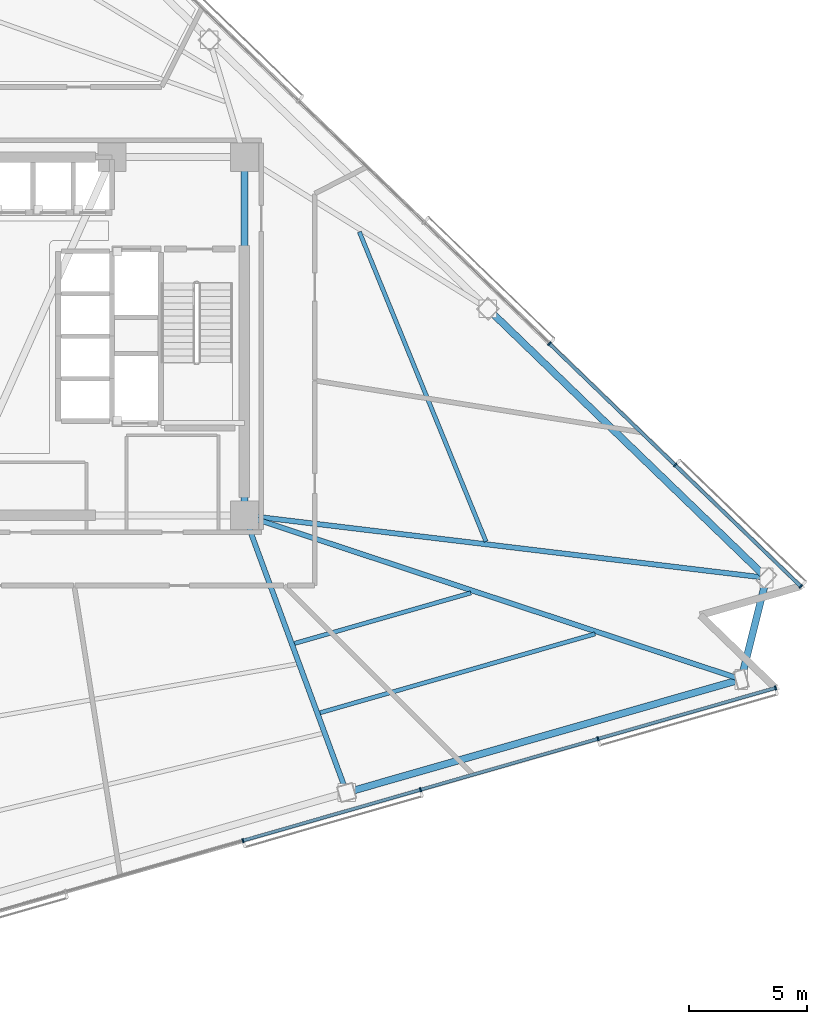
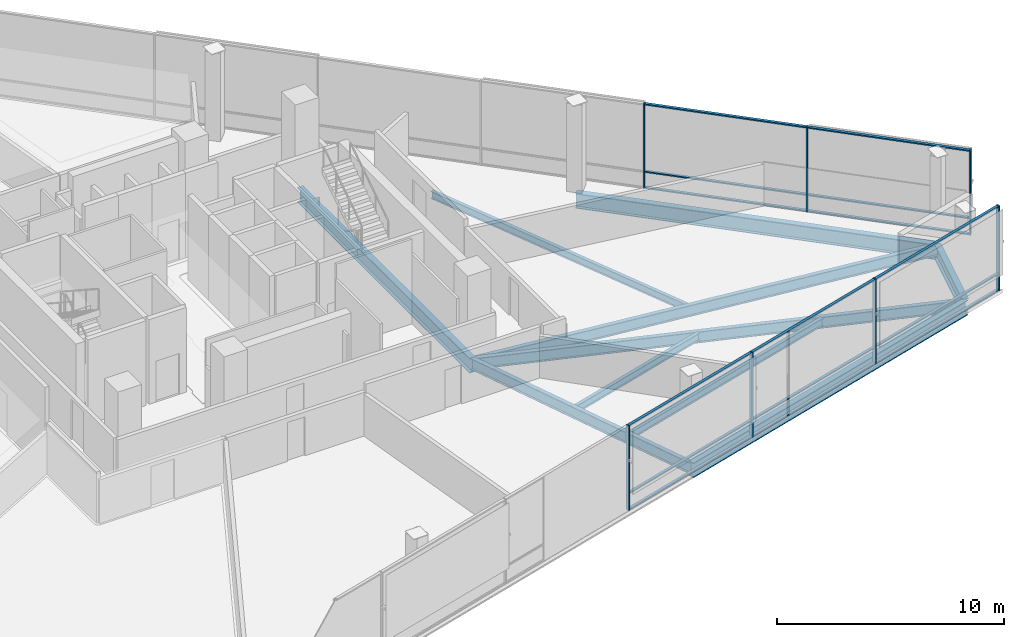
# One storey, part 5 of 18: 22 members, 10 beams, 2 elements without a shape of their own.
"""IFC4 building model written with IfcOpenShell, lengths in metres."""

from ifc_helpers import new_model, si_unit, direction, frame, origin, origin_2d, place, context, subcontext, project, spatial, rectangle, i_section, extrude, material, layer, layer_set, material_profile, profile_set, type_object, element, aggregate, save


model = new_model("IFC4")

# Units and contexts
model_context = context("Model", 3, precision=1e-05, world=origin(), true_north=direction((0.0, 1.0)))
body_context = subcontext(model_context, "Body", "Model", "MODEL_VIEW")
ifc_project = project(units=[si_unit("LENGTHUNIT", "METRE"), si_unit("AREAUNIT", "SQUARE_METRE"), si_unit("VOLUMEUNIT", "CUBIC_METRE"), si_unit("PLANEANGLEUNIT", "RADIAN"), si_unit("MASSUNIT", "GRAM", prefix="KILO")], contexts=[model_context])

# Site, building, storey
site_placement = place(None, origin())
site = spatial("IfcSite", under=ifc_project, at=site_placement, CompositionType="ELEMENT")
building_placement = place(site_placement, origin())
building = spatial("IfcBuilding", under=site, at=building_placement, Name="Tharavind Bronze Gate", CompositionType="ELEMENT")
storey_placement = place(building_placement, frame((0.0, 0.0, 107.699951171875)))
storey = spatial("IfcBuildingStorey", under=building, at=storey_placement, Name="L27", CompositionType="ELEMENT", Elevation=107.699951171875)

# Curtain wall, members
ifc_material_1 = material(Name="Anodised Bronze Aluminium", Category="aluminium")
ifc_layer = layer(ifc_material_1, 0.219970703125)
ifc_layer_set = layer_set([ifc_layer], Name="Anodised Bronze Aluminium")
curtain_wall_type = type_object("IfcCurtainWallType", Name="UNITISED CURTAIN WALL LOWER OFFICE", PredefinedType="USERDEFINED", material=ifc_layer_set)
curtain_wall_1_placement = place(storey_placement, origin())
curtain_wall_1 = element("IfcCurtainWall", 1, at=curtain_wall_1_placement, inside=storey, type_object=curtain_wall_type, Name="L27 unitised curtain wall lower office CW-L27-S2", ObjectType="UNITISED CURTAIN WALL", PredefinedType="USERDEFINED")
member_type_1 = type_object("IfcMemberType", Name="CURTAIN WALL BRONZE MULLION 65X180", PredefinedType="MULLION", material=ifc_material_1)
member_1_placement = place(storey_placement, frame((8.83837890625, -21.406982421875, 0.0), z_axis=(0.0, 0.0, 1.0), x_axis=(0.961261695938, 0.275637355817, 0.0)))
member_1 = element("IfcMember", 2, at=member_1_placement, type_object=member_type_1, Name="CW-L27-S2 mullion 5", PredefinedType="MULLION", context=body_context, shape_type="SweptSolid", body=[
    extrude(rectangle(XDim=0.06494140625, YDim=0.179931640625, at=origin_2d()), origin(), (0.0, 0.0, 1.0), 4.56005859375),
])
member_2_placement = place(storey_placement, frame((16.371826171875, -19.246826171875, 0.0), z_axis=(0.0, 0.0, 1.0), x_axis=(0.961261695938, 0.275637355817, 0.0)))
member_2 = element("IfcMember", 3, at=member_2_placement, type_object=member_type_1, Name="CW-L27-S2 mullion 6", PredefinedType="MULLION", context=body_context, shape_type="SweptSolid", body=[
    extrude(rectangle(XDim=0.06494140625, YDim=0.179931640625, at=origin_2d()), origin(), (0.0, 0.0, 1.0), 4.56005859375),
])
member_3_placement = place(storey_placement, frame((23.9052734375, -17.086669921875, 0.0), z_axis=(0.0, 0.0, 1.0), x_axis=(0.961261695938, 0.275637355817, 0.0)))
member_3 = element("IfcMember", 4, at=member_3_placement, type_object=member_type_1, Name="CW-L27-S2 mullion 7", PredefinedType="MULLION", context=body_context, shape_type="SweptSolid", body=[
    extrude(rectangle(XDim=0.06494140625, YDim=0.179931640625, at=origin_2d()), origin(), (0.0, 0.0, 1.0), 4.56005859375),
])
member_4_placement = place(storey_placement, frame((31.438720703125, -14.926513671875, 0.0), z_axis=(0.0, 0.0, 1.0), x_axis=(0.961261695938, 0.275637355817, 0.0)))
member_4 = element("IfcMember", 5, at=member_4_placement, type_object=member_type_1, Name="CW-L27-S2 mullion 8", PredefinedType="MULLION", context=body_context, shape_type="SweptSolid", body=[
    extrude(rectangle(XDim=0.06494140625, YDim=0.179931640625, at=origin_2d()), origin(), (0.0, 0.0, 1.0), 4.56005859375),
])

curtain_wall_2_placement = place(storey_placement, origin())
curtain_wall_2 = element("IfcCurtainWall", 6, at=curtain_wall_2_placement, inside=storey, type_object=curtain_wall_type, Name="L27 unitised curtain wall lower office CW-L27-S3", ObjectType="UNITISED CURTAIN WALL", PredefinedType="USERDEFINED")
member_5_placement = place(storey_placement, frame((32.512939453125, -10.618408203125, 0.0), z_axis=(0.0, 0.0, 1.0), x_axis=(-0.719341012745, 0.694657114973, 0.0)))
member_5 = element("IfcMember", 7, at=member_5_placement, type_object=member_type_1, Name="CW-L27-S3 mullion 1", PredefinedType="MULLION", context=body_context, shape_type="SweptSolid", body=[
    extrude(rectangle(XDim=0.06494140625, YDim=0.179931640625, at=origin_2d()), origin(), (0.0, 0.0, 1.0), 4.56005859375),
])
member_6_placement = place(storey_placement, frame((27.1796875, -5.468017578125, 0.0), z_axis=(0.0, 0.0, 1.0), x_axis=(-0.719341012745, 0.694657114973, 0.0)))
member_6 = element("IfcMember", 8, at=member_6_placement, type_object=member_type_1, Name="CW-L27-S3 mullion 2", PredefinedType="MULLION", context=body_context, shape_type="SweptSolid", body=[
    extrude(rectangle(XDim=0.06494140625, YDim=0.179931640625, at=origin_2d()), origin(), (0.0, 0.0, 1.0), 4.56005859375),
])
member_7_placement = place(storey_placement, frame((21.84619140625, -0.317626953125, 0.0), z_axis=(0.0, 0.0, 1.0), x_axis=(-0.719341012745, 0.694657114973, 0.0)))
member_7 = element("IfcMember", 9, at=member_7_placement, type_object=member_type_1, Name="CW-L27-S3 mullion 3", PredefinedType="MULLION", context=body_context, shape_type="SweptSolid", body=[
    extrude(rectangle(XDim=0.06494140625, YDim=0.179931640625, at=origin_2d()), origin(), (0.0, 0.0, 1.0), 4.56005859375),
])

# Member
member_type_2 = type_object("IfcMemberType", Name="CURTAIN WALL BRONZE TRANSOM 65X140", PredefinedType="USERDEFINED", material=ifc_material_1)
member_8_placement = place(storey_placement, frame((12.60498046875, -20.326904296875, 0.0), z_axis=(0.0, 0.0, 1.0), x_axis=(0.961261695938, 0.275637355817, 0.0)))
member_8 = element("IfcMember", 10, at=member_8_placement, type_object=member_type_2, Name="CW-L27-S2 transom TB5", ObjectType="TRANSOM", PredefinedType="USERDEFINED", context=body_context, shape_type="SweptSolid", body=[
    extrude(rectangle(XDim=7.7841796875, YDim=0.139892578125, at=origin_2d()), origin(), (0.0, 0.0, 1.0), 0.06494140625),
])

member_9_placement = place(storey_placement, frame((12.60498046875, -20.326904296875, 0.86767578125), z_axis=(0.0, 0.0, 1.0), x_axis=(0.961261695938, 0.275637355817, 0.0)))
member_9 = element("IfcMember", 11, at=member_9_placement, type_object=member_type_2, Name="CW-L27-S2 transom TS5", ObjectType="TRANSOM", PredefinedType="USERDEFINED", context=body_context, shape_type="SweptSolid", body=[
    extrude(rectangle(XDim=7.7841796875, YDim=0.139892578125, at=origin_2d()), origin(), (0.0, 0.0, 1.0), 0.06494140625),
])

member_10_placement = place(storey_placement, frame((12.60498046875, -20.326904296875, 4.4951171875), z_axis=(0.0, 0.0, 1.0), x_axis=(0.961261695938, 0.275637355817, 0.0)))
member_10 = element("IfcMember", 12, at=member_10_placement, type_object=member_type_2, Name="CW-L27-S2 transom TT5", ObjectType="TRANSOM", PredefinedType="USERDEFINED", context=body_context, shape_type="SweptSolid", body=[
    extrude(rectangle(XDim=7.7841796875, YDim=0.139892578125, at=origin_2d()), origin(), (0.0, 0.0, 1.0), 0.06494140625),
])

member_11_placement = place(storey_placement, frame((20.138671875, -18.166748046875, 0.0), z_axis=(0.0, 0.0, 1.0), x_axis=(0.961261695938, 0.275637355817, 0.0)))
member_11 = element("IfcMember", 13, at=member_11_placement, type_object=member_type_2, Name="CW-L27-S2 transom TB6", ObjectType="TRANSOM", PredefinedType="USERDEFINED", context=body_context, shape_type="SweptSolid", body=[
    extrude(rectangle(XDim=7.7841796875, YDim=0.139892578125, at=origin_2d()), origin(), (0.0, 0.0, 1.0), 0.06494140625),
])

member_12_placement = place(storey_placement, frame((20.138671875, -18.166748046875, 0.86767578125), z_axis=(0.0, 0.0, 1.0), x_axis=(0.961261695938, 0.275637355817, 0.0)))
member_12 = element("IfcMember", 14, at=member_12_placement, type_object=member_type_2, Name="CW-L27-S2 transom TS6", ObjectType="TRANSOM", PredefinedType="USERDEFINED", context=body_context, shape_type="SweptSolid", body=[
    extrude(rectangle(XDim=7.7841796875, YDim=0.139892578125, at=origin_2d()), origin(), (0.0, 0.0, 1.0), 0.06494140625),
])

member_13_placement = place(storey_placement, frame((20.138671875, -18.166748046875, 4.4951171875), z_axis=(0.0, 0.0, 1.0), x_axis=(0.961261695938, 0.275637355817, 0.0)))
member_13 = element("IfcMember", 15, at=member_13_placement, type_object=member_type_2, Name="CW-L27-S2 transom TT6", ObjectType="TRANSOM", PredefinedType="USERDEFINED", context=body_context, shape_type="SweptSolid", body=[
    extrude(rectangle(XDim=7.7841796875, YDim=0.139892578125, at=origin_2d()), origin(), (0.0, 0.0, 1.0), 0.06494140625),
])

member_14_placement = place(storey_placement, frame((27.672119140625, -16.006591796875, 0.0), z_axis=(0.0, 0.0, 1.0), x_axis=(0.961261695938, 0.275637355817, 0.0)))
member_14 = element("IfcMember", 16, at=member_14_placement, type_object=member_type_2, Name="CW-L27-S2 transom TB7", ObjectType="TRANSOM", PredefinedType="USERDEFINED", context=body_context, shape_type="SweptSolid", body=[
    extrude(rectangle(XDim=7.7841796875, YDim=0.139892578125, at=origin_2d()), origin(), (0.0, 0.0, 1.0), 0.06494140625),
])

member_15_placement = place(storey_placement, frame((27.672119140625, -16.006591796875, 0.86767578125), z_axis=(0.0, 0.0, 1.0), x_axis=(0.961261695938, 0.275637355817, 0.0)))
member_15 = element("IfcMember", 17, at=member_15_placement, type_object=member_type_2, Name="CW-L27-S2 transom TS7", ObjectType="TRANSOM", PredefinedType="USERDEFINED", context=body_context, shape_type="SweptSolid", body=[
    extrude(rectangle(XDim=7.7841796875, YDim=0.139892578125, at=origin_2d()), origin(), (0.0, 0.0, 1.0), 0.06494140625),
])

member_16_placement = place(storey_placement, frame((27.672119140625, -16.006591796875, 4.4951171875), z_axis=(0.0, 0.0, 1.0), x_axis=(0.961261695938, 0.275637355817, 0.0)))
member_16 = element("IfcMember", 18, at=member_16_placement, type_object=member_type_2, Name="CW-L27-S2 transom TT7", ObjectType="TRANSOM", PredefinedType="USERDEFINED", context=body_context, shape_type="SweptSolid", body=[
    extrude(rectangle(XDim=7.7841796875, YDim=0.139892578125, at=origin_2d()), origin(), (0.0, 0.0, 1.0), 0.06494140625),
])

aggregate(curtain_wall_1, [member_1, member_2, member_3, member_4, member_8, member_9, member_10, member_11, member_12, member_13, member_14, member_15, member_16])

member_17_placement = place(storey_placement, frame((29.84619140625, -8.043212890625, 0.0), z_axis=(0.0, 0.0, 1.0), x_axis=(-0.719341012745, 0.694657114973, 0.0)))
member_17 = element("IfcMember", 19, at=member_17_placement, type_object=member_type_2, Name="CW-L27-S3 transom TB1", ObjectType="TRANSOM", PredefinedType="USERDEFINED", context=body_context, shape_type="SweptSolid", body=[
    extrude(rectangle(XDim=7.361083984375, YDim=0.139892578125, at=origin_2d()), origin(), (0.0, 0.0, 1.0), 0.06494140625),
])

member_18_placement = place(storey_placement, frame((29.84619140625, -8.043212890625, 0.86767578125), z_axis=(0.0, 0.0, 1.0), x_axis=(-0.719341012745, 0.694657114973, 0.0)))
member_18 = element("IfcMember", 20, at=member_18_placement, type_object=member_type_2, Name="CW-L27-S3 transom TS1", ObjectType="TRANSOM", PredefinedType="USERDEFINED", context=body_context, shape_type="SweptSolid", body=[
    extrude(rectangle(XDim=7.361083984375, YDim=0.139892578125, at=origin_2d()), origin(), (0.0, 0.0, 1.0), 0.06494140625),
])

member_19_placement = place(storey_placement, frame((29.84619140625, -8.043212890625, 4.4951171875), z_axis=(0.0, 0.0, 1.0), x_axis=(-0.719341012745, 0.694657114973, 0.0)))
member_19 = element("IfcMember", 21, at=member_19_placement, type_object=member_type_2, Name="CW-L27-S3 transom TT1", ObjectType="TRANSOM", PredefinedType="USERDEFINED", context=body_context, shape_type="SweptSolid", body=[
    extrude(rectangle(XDim=7.361083984375, YDim=0.139892578125, at=origin_2d()), origin(), (0.0, 0.0, 1.0), 0.06494140625),
])

member_20_placement = place(storey_placement, frame((24.512939453125, -2.892822265625, 0.0), z_axis=(0.0, 0.0, 1.0), x_axis=(-0.719341012745, 0.694657114973, 0.0)))
member_20 = element("IfcMember", 22, at=member_20_placement, type_object=member_type_2, Name="CW-L27-S3 transom TB2", ObjectType="TRANSOM", PredefinedType="USERDEFINED", context=body_context, shape_type="SweptSolid", body=[
    extrude(rectangle(XDim=7.361083984375, YDim=0.139892578125, at=origin_2d()), origin(), (0.0, 0.0, 1.0), 0.06494140625),
])

member_21_placement = place(storey_placement, frame((24.512939453125, -2.892822265625, 0.86767578125), z_axis=(0.0, 0.0, 1.0), x_axis=(-0.719341012745, 0.694657114973, 0.0)))
member_21 = element("IfcMember", 23, at=member_21_placement, type_object=member_type_2, Name="CW-L27-S3 transom TS2", ObjectType="TRANSOM", PredefinedType="USERDEFINED", context=body_context, shape_type="SweptSolid", body=[
    extrude(rectangle(XDim=7.361083984375, YDim=0.139892578125, at=origin_2d()), origin(), (0.0, 0.0, 1.0), 0.06494140625),
])

member_22_placement = place(storey_placement, frame((24.512939453125, -2.892822265625, 4.4951171875), z_axis=(0.0, 0.0, 1.0), x_axis=(-0.719341012745, 0.694657114973, 0.0)))
member_22 = element("IfcMember", 24, at=member_22_placement, type_object=member_type_2, Name="CW-L27-S3 transom TT2", ObjectType="TRANSOM", PredefinedType="USERDEFINED", context=body_context, shape_type="SweptSolid", body=[
    extrude(rectangle(XDim=7.361083984375, YDim=0.139892578125, at=origin_2d()), origin(), (0.0, 0.0, 1.0), 0.06494140625),
])

aggregate(curtain_wall_2, [member_5, member_6, member_7, member_17, member_18, member_19, member_20, member_21, member_22])

# Beams
ifc_material_2 = material(Name="Steel S355", Category="steel")
ifc_material_profile_1 = material_profile(ifc_material_2, i_section(OverallWidth=0.219970703125, OverallDepth=0.60009765625, WebThickness=0.011962890625, FlangeThickness=0.01904296875, at=origin_2d()), Name="IPE600")
ifc_profile_set_1 = profile_set([ifc_material_profile_1], Name="Steel S355")
beam_type_1 = type_object("IfcBeamType", Name="PRIMARY GIRDER IPE600", PredefinedType="USERDEFINED", material=ifc_profile_set_1)
beam_1_placement = place(storey_placement, frame((13.23779296875, -19.365234375, -0.489990234375), z_axis=(-0.345941741317, 0.938255994713, 0.0), x_axis=(-0.938255994713, -0.345941741317, 0.0)))
element("IfcBeam", 25, at=beam_1_placement, inside=storey, type_object=beam_type_1, Name="L27 primary girder ipe600 BM-L27-RAD07", ObjectType="GIRDER", PredefinedType="USERDEFINED", context=body_context, shape_type="SweptSolid", body=[
    extrude(i_section(OverallWidth=0.219970703125, OverallDepth=0.60009765625, WebThickness=0.011962890625, FlangeThickness=0.01904296875, at=origin_2d()), origin(), (0.0, 0.0, 1.0), 12.539306640625),
])
beam_2_placement = place(storey_placement, frame((29.9833984375, -14.563720703125, -0.489990234375), z_axis=(-0.949547271017, 0.313623946956, 0.0), x_axis=(-0.313623946956, -0.949547271017, 0.0)))
element("IfcBeam", 26, at=beam_2_placement, inside=storey, type_object=beam_type_1, Name="L27 primary girder ipe600 BM-L27-RAD08", ObjectType="GIRDER", PredefinedType="USERDEFINED", context=body_context, shape_type="SweptSolid", body=[
    extrude(i_section(OverallWidth=0.219970703125, OverallDepth=0.60009765625, WebThickness=0.011962890625, FlangeThickness=0.01904296875, at=origin_2d()), origin(), (0.0, 0.0, 1.0), 22.20361328125),
])
beam_3_placement = place(storey_placement, frame((31.0576171875, -10.255615234375, -0.489990234375), z_axis=(-0.992894893645, 0.118994664472, 0.0), x_axis=(-0.118994664472, -0.992894893645, 0.0)))
element("IfcBeam", 27, at=beam_3_placement, inside=storey, type_object=beam_type_1, Name="L27 primary girder ipe600 BM-L27-RAD09", ObjectType="GIRDER", PredefinedType="USERDEFINED", context=body_context, shape_type="SweptSolid", body=[
    extrude(i_section(OverallWidth=0.219970703125, OverallDepth=0.60009765625, WebThickness=0.011962890625, FlangeThickness=0.01904296875, at=origin_2d()), origin(), (0.0, 0.0, 1.0), 22.316162109375),
])
ifc_material_profile_2 = material_profile(ifc_material_2, i_section(OverallWidth=0.300048828125, OverallDepth=0.800048828125, WebThickness=0.017578125, FlangeThickness=0.032958984375, at=origin_2d()), Name="HE800B")
ifc_profile_set_2 = profile_set([ifc_material_profile_2], Name="Steel S355")
beam_type_2 = type_object("IfcBeamType", Name="RING GIRDER HE800B", PredefinedType="USERDEFINED", material=ifc_profile_set_2)
beam_4_placement = place(storey_placement, frame((8.89990234375, -7.60009765625, -0.58984375), z_axis=(0.0, 1.0, 0.0), x_axis=(-1.0, 0.0, 0.0)))
element("IfcBeam", 28, at=beam_4_placement, inside=storey, type_object=beam_type_2, Name="L27 ring girder he800b BM-L27-CR3", ObjectType="GIRDER", PredefinedType="USERDEFINED", context=body_context, shape_type="SweptSolid", body=[
    extrude(i_section(OverallWidth=0.300048828125, OverallDepth=0.800048828125, WebThickness=0.017578125, FlangeThickness=0.032958984375, at=origin_2d()), origin(), (0.0, 0.0, 1.0), 15.2001953125),
])
beam_5_placement = place(storey_placement, frame((13.23779296875, -19.365234375, -0.58984375), z_axis=(0.961264911639, 0.275626141088, 0.0), x_axis=(-0.275626141088, 0.961264911639, 0.0)))
element("IfcBeam", 29, at=beam_5_placement, inside=storey, type_object=beam_type_2, Name="L27 ring girder he800b BM-L27-PRG07", ObjectType="GIRDER", PredefinedType="USERDEFINED", context=body_context, shape_type="SweptSolid", body=[
    extrude(i_section(OverallWidth=0.300048828125, OverallDepth=0.800048828125, WebThickness=0.017578125, FlangeThickness=0.032958984375, at=origin_2d()), origin(), (0.0, 0.0, 1.0), 17.42041015625),
])
beam_6_placement = place(storey_placement, frame((29.9833984375, -14.563720703125, -0.58984375), z_axis=(0.241940431812, 0.970291104491, 0.0), x_axis=(-0.970291104491, 0.241940431812, 0.0)))
element("IfcBeam", 30, at=beam_6_placement, inside=storey, type_object=beam_type_2, Name="L27 ring girder he800b BM-L27-PRG08", ObjectType="GIRDER", PredefinedType="USERDEFINED", context=body_context, shape_type="SweptSolid", body=[
    extrude(i_section(OverallWidth=0.300048828125, OverallDepth=0.800048828125, WebThickness=0.017578125, FlangeThickness=0.032958984375, at=origin_2d()), origin(), (0.0, 0.0, 1.0), 4.43994140625),
])
beam_7_placement = place(storey_placement, frame((31.0576171875, -10.255615234375, -0.58984375), z_axis=(-0.719336950964, 0.694661321061, 0.0), x_axis=(-0.694661321061, -0.719336950964, 0.0)))
element("IfcBeam", 31, at=beam_7_placement, inside=storey, type_object=beam_type_2, Name="L27 ring girder he800b BM-L27-PRG09", ObjectType="GIRDER", PredefinedType="USERDEFINED", context=body_context, shape_type="SweptSolid", body=[
    extrude(i_section(OverallWidth=0.300048828125, OverallDepth=0.800048828125, WebThickness=0.017578125, FlangeThickness=0.032958984375, at=origin_2d()), origin(), (0.0, 0.0, 1.0), 16.433837890625),
])
ifc_material_profile_3 = material_profile(ifc_material_2, i_section(OverallWidth=0.179931640625, OverallDepth=0.39990234375, WebThickness=0.008544921875, FlangeThickness=0.013427734375, at=origin_2d()), Name="IPE400")
ifc_profile_set_3 = profile_set([ifc_material_profile_3], Name="Steel S355")
beam_type_3 = type_object("IfcBeamType", Name="SECONDARY FLOOR JOIST IPE400", PredefinedType="JOIST", material=ifc_profile_set_3)
beam_8_placement = place(storey_placement, frame((11.027099609375, -13.039306640625, -0.389892578125), z_axis=(0.961264410597, 0.275627888501, 0.0), x_axis=(-0.275627888501, 0.961264410597, 0.0)))
element("IfcBeam", 32, at=beam_8_placement, inside=storey, type_object=beam_type_3, Name="L27 secondary floor joist ipe400 BM-L27-JSTA07", PredefinedType="JOIST", context=body_context, shape_type="SweptSolid", body=[
    extrude(i_section(OverallWidth=0.179931640625, OverallDepth=0.39990234375, WebThickness=0.008544921875, FlangeThickness=0.013427734375, at=origin_2d()), origin(), (0.0, 0.0, 1.0), 7.78662109375),
])
beam_9_placement = place(storey_placement, frame((12.111328125, -15.980712890625, -0.389892578125), z_axis=(0.961258694637, 0.275647822385, 0.0), x_axis=(-0.275647822385, 0.961258694637, 0.0)))
element("IfcBeam", 33, at=beam_9_placement, inside=storey, type_object=beam_type_3, Name="L27 secondary floor joist ipe400 BM-L27-JSTB07", PredefinedType="JOIST", context=body_context, shape_type="SweptSolid", body=[
    extrude(i_section(OverallWidth=0.179931640625, OverallDepth=0.39990234375, WebThickness=0.008544921875, FlangeThickness=0.013427734375, at=origin_2d()), origin(), (0.0, 0.0, 1.0), 12.14208984375),
])
beam_10_placement = place(storey_placement, frame((19.154052734375, -8.714599609375, -0.389892578125), z_axis=(-0.378556522094, 0.925578175834, 0.0), x_axis=(-0.925578175834, -0.378556522094, 0.0)))
element("IfcBeam", 34, at=beam_10_placement, inside=storey, type_object=beam_type_3, Name="L27 secondary floor joist ipe400 BM-L27-JSTA09", PredefinedType="JOIST", context=body_context, shape_type="SweptSolid", body=[
    extrude(i_section(OverallWidth=0.179931640625, OverallDepth=0.39990234375, WebThickness=0.008544921875, FlangeThickness=0.013427734375, at=origin_2d()), origin(), (0.0, 0.0, 1.0), 14.19921875),
])

save(model, "model.ifc")
